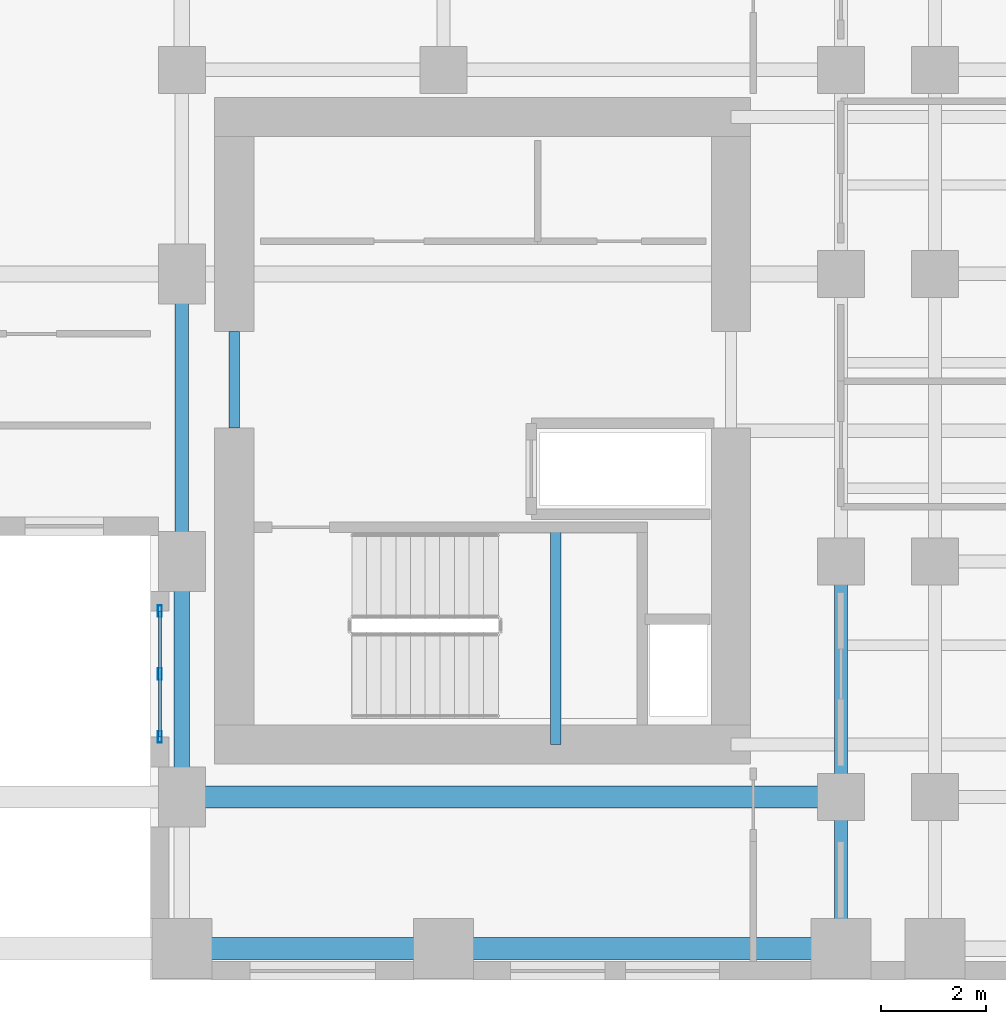
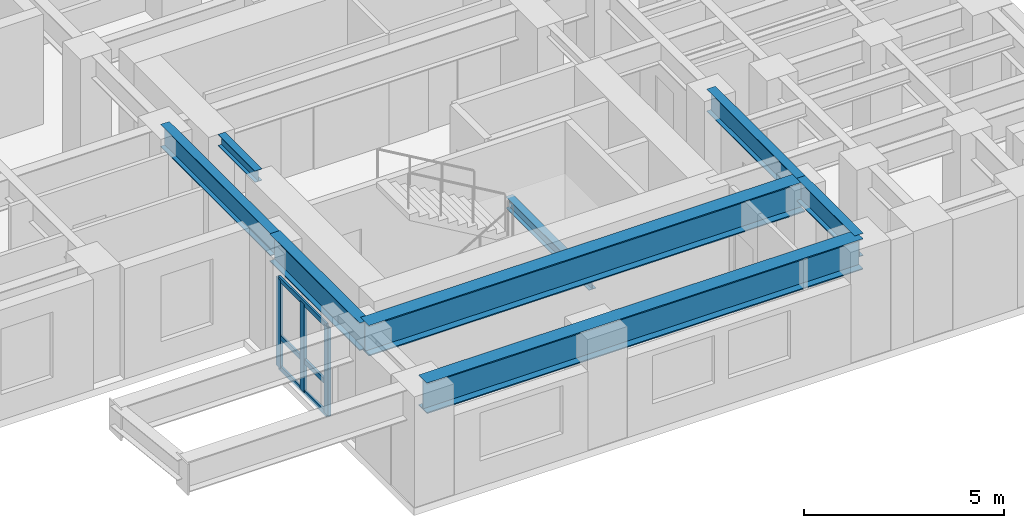
# One storey, part 3 of 14: 8 beams, 6 members, 1 element without a shape of its own.
"""IFC4 building model written with IfcOpenShell, lengths in metres."""

from ifc_helpers import new_model, si_unit, direction, frame, origin, origin_2d, place, context, subcontext, project, spatial, hollow_rectangle, i_section, extrude, source, transform, mapped, material, layer, layer_set, material_profile, profile_set, type_object, element, aggregate, save


model = new_model("IFC4")

# Units and contexts
model_context = context("Model", 3, precision=1e-05, world=origin(), true_north=direction((0.0, 1.0)))
body_context = subcontext(model_context, "Body", "Model", "MODEL_VIEW")
ifc_project = project(units=[si_unit("LENGTHUNIT", "METRE"), si_unit("AREAUNIT", "SQUARE_METRE"), si_unit("VOLUMEUNIT", "CUBIC_METRE"), si_unit("PLANEANGLEUNIT", "RADIAN"), si_unit("MASSUNIT", "GRAM", prefix="KILO")], contexts=[model_context])

# Site, building, storey
site_placement = place(None, origin())
site = spatial("IfcSite", under=ifc_project, at=site_placement, CompositionType="ELEMENT")
building_placement = place(site_placement, origin())
building = spatial("IfcBuilding", under=site, at=building_placement, Name="Kharzan Plaza Tower", CompositionType="ELEMENT")
storey_placement = place(building_placement, frame((0.0, 0.0, 131.39990234375)))
storey = spatial("IfcBuildingStorey", under=building, at=storey_placement, Name="L35", CompositionType="ELEMENT", Elevation=131.39990234375)

# Beams
ifc_material_1 = material(Name="Steel S355", Category="steel")
ifc_material_profile_1 = material_profile(ifc_material_1, i_section(OverallWidth=0.205078125, OverallDepth=0.35400390625, WebThickness=0.009521484375, FlangeThickness=0.016845703125, at=origin_2d()), Name="W360x79")
ifc_profile_set_1 = profile_set([ifc_material_profile_1], Name="Steel S355")
beam_type_1 = type_object("IfcBeamType", Name="BM-LNT360", PredefinedType="LINTEL", material=ifc_profile_set_1)
shared_shape_1 = source(origin(), body_context, "Body", "SweptSolid", [
    extrude(i_section(OverallWidth=0.205078125, OverallDepth=0.35400390625, WebThickness=0.009521484375, FlangeThickness=0.016845703125, at=origin_2d()), origin(), (0.0, 0.0, 1.0), 1.849853515625),
])
beam_1_placement = place(storey_placement, frame((36.0, 10.550048828125, 3.203125), z_axis=(0.0, 1.0, 0.0), x_axis=(-1.0, 0.0, 0.0)))
element("IfcBeam", 1, at=beam_1_placement, inside=storey, type_object=beam_type_1, Name="L35 CORE-B coupling lintel LN1-WW", PredefinedType="LINTEL", context=body_context, shape_type="MappedRepresentation", body=[
    mapped(shared_shape_1, transform((0.0, 0.0, 0.0), x_axis=(1.0, 0.0, 0.0), y_axis=(0.0, 1.0, 0.0), z_axis=(0.0, 0.0, 1.0))),
])
shared_shape_2 = source(origin(), body_context, "Body", "SweptSolid", [
    extrude(i_section(OverallWidth=0.205078125, OverallDepth=0.35400390625, WebThickness=0.009521484375, FlangeThickness=0.016845703125, at=origin_2d()), origin(), (0.0, 0.0, 1.0), 4.155029296875),
])
beam_2_placement = place(storey_placement, frame((42.14990234375, 4.5, 1.423095703125), z_axis=(0.0, 1.0, 0.0), x_axis=(-1.0, 0.0, 0.0)))
element("IfcBeam", 2, at=beam_2_placement, inside=storey, type_object=beam_type_1, Name="L35 Stair ST-3 Half-Landing Beam", PredefinedType="LINTEL", context=body_context, shape_type="MappedRepresentation", body=[
    mapped(shared_shape_2, transform((0.0, 0.0, 0.0), x_axis=(1.0, 0.0, 0.0), y_axis=(0.0, 1.0, 0.0), z_axis=(0.0, 0.0, 1.0))),
])
ifc_material_profile_2 = material_profile(ifc_material_1, i_section(OverallWidth=0.41796875, OverallDepth=0.93701171875, WebThickness=0.019287109375, FlangeThickness=0.031982421875, at=origin_2d()), Name="W920x342")
ifc_profile_set_2 = profile_set([ifc_material_profile_2], Name="Steel S355")
beam_type_2 = type_object("IfcBeamType", Name="BM-ZTB920", PredefinedType="BEAM", material=ifc_profile_set_2)
shared_shape_3 = source(origin(), body_context, "Body", "SweptSolid", [
    extrude(i_section(OverallWidth=0.41796875, OverallDepth=0.93701171875, WebThickness=0.019287109375, FlangeThickness=0.031982421875, at=origin_2d()), origin(), (0.0, 0.0, 1.0), 12.60009765625),
])
for number, where, z_axis, x_axis, name in (
    (3, (47.60009765625, 0.60009765625, 2.91162109375), (-1.0, 0.0, 0.0), (0.0, -1.0, 0.0), "L35 Sky-Terrace Back-Span Girder ZTB1 (L36 G1)"),
    (4, (47.60009765625, 3.5, 2.91162109375), (-1.0, 0.0, 0.0), (0.0, -1.0, 0.0), "L35 Sky-Terrace Back-Span Girder ZTB1 (L36 G2)"),
):
    element("IfcBeam", number, at=place(storey_placement, frame(where, z_axis=z_axis, x_axis=x_axis)), inside=storey, type_object=beam_type_2, Name=name, PredefinedType="BEAM", context=body_context, shape_type="MappedRepresentation", body=[
        mapped(shared_shape_3, transform((0.0, 0.0, 0.0), x_axis=(1.0, 0.0, 0.0), y_axis=(0.0, 1.0, 0.0), z_axis=(0.0, 0.0, 1.0))),
    ])

# Curtain wall, members
ifc_material_2 = material(Name="Unitised Bronze-Anodized Aluminium and Low-E Glass", Category="aluminium")
ifc_layer = layer(ifc_material_2, 0.199951171875)
ifc_layer_set = layer_set([ifc_layer], Name="Unitised Bronze-Anodized Aluminium and Low-E Glass")
curtain_wall_type = type_object("IfcCurtainWallType", Name="CW-SLOT-3", PredefinedType="NOTDEFINED", material=ifc_layer_set)
curtain_wall_placement = place(storey_placement, origin())
curtain_wall = element("IfcCurtainWall", 5, at=curtain_wall_placement, inside=storey, type_object=curtain_wall_type, Name="L35 East Slot Recessed Spine Curtain Wall", PredefinedType="NOTDEFINED")
ifc_material_3 = material(Name="Anodized Bronze Aluminium", Category="aluminium")
ifc_material_profile_3 = material_profile(ifc_material_3, hollow_rectangle(XDim=0.06005859375, YDim=0.14990234375, WallThickness=0.00341796875, at=origin_2d()), Name="ALU-T150x60x3.5")
ifc_profile_set_3 = profile_set([ifc_material_profile_3], Name="Anodized Bronze Aluminium")
member_type_1 = type_object("IfcMemberType", Name="MEM-CW-TRN150", PredefinedType="USERDEFINED", material=ifc_profile_set_3)
shared_shape_4 = source(origin(), body_context, "Body", "SweptSolid", [
    extrude(hollow_rectangle(XDim=0.06005859375, YDim=0.14990234375, WallThickness=0.00341796875, at=origin_2d()), origin(), (0.0, 0.0, 1.0), 2.400146484375),
])
member_1_placement = place(storey_placement, frame((34.580078125, 4.64990234375, 0.0), z_axis=(0.0, 1.0, 0.0), x_axis=(-1.0, 0.0, 0.0)))
member_1 = element("IfcMember", 6, at=member_1_placement, type_object=member_type_1, Name="L35 Curtain-Wall Transom 1", ObjectType="TRANSOM", PredefinedType="USERDEFINED", context=body_context, shape_type="MappedRepresentation", body=[
    mapped(shared_shape_4, transform((0.0, 0.0, 0.0), x_axis=(1.0, 0.0, 0.0), y_axis=(0.0, 1.0, 0.0), z_axis=(0.0, 0.0, 1.0))),
])
member_2_placement = place(storey_placement, frame((34.580078125, 4.64990234375, 0.9501953125), z_axis=(0.0, 1.0, 0.0), x_axis=(-1.0, 0.0, 0.0)))
member_2 = element("IfcMember", 7, at=member_2_placement, type_object=member_type_1, Name="L35 Curtain-Wall Transom 2", ObjectType="TRANSOM", PredefinedType="USERDEFINED", context=body_context, shape_type="MappedRepresentation", body=[
    mapped(shared_shape_4, transform((0.0, 0.0, 0.0), x_axis=(1.0, 0.0, 0.0), y_axis=(0.0, 1.0, 0.0), z_axis=(0.0, 0.0, 1.0))),
])
member_3_placement = place(storey_placement, frame((34.580078125, 4.64990234375, 2.7001953125), z_axis=(0.0, 1.0, 0.0), x_axis=(-1.0, 0.0, 0.0)))
member_3 = element("IfcMember", 8, at=member_3_placement, type_object=member_type_1, Name="L35 Curtain-Wall Transom 3", ObjectType="TRANSOM", PredefinedType="USERDEFINED", context=body_context, shape_type="MappedRepresentation", body=[
    mapped(shared_shape_4, transform((0.0, 0.0, 0.0), x_axis=(1.0, 0.0, 0.0), y_axis=(0.0, 1.0, 0.0), z_axis=(0.0, 0.0, 1.0))),
])
ifc_material_profile_4 = material_profile(ifc_material_3, hollow_rectangle(XDim=0.074951171875, YDim=0.219970703125, WallThickness=0.00390625, at=origin_2d()), Name="ALU-M220x75x4")
ifc_profile_set_4 = profile_set([ifc_material_profile_4], Name="Anodized Bronze Aluminium")
member_type_2 = type_object("IfcMemberType", Name="MEM-CW-MUL200", PredefinedType="MULLION", material=ifc_profile_set_4)
shared_shape_5 = source(origin(), body_context, "Body", "SweptSolid", [
    extrude(hollow_rectangle(XDim=0.074951171875, YDim=0.219970703125, WallThickness=0.00390625, at=origin_2d()), origin(), (0.0, 0.0, 1.0), 2.7001953125),
])
member_4_placement = place(storey_placement, frame((34.580078125, 4.64990234375, 0.0), z_axis=(0.0, 0.0, 1.0), x_axis=(1.0, 0.0, 0.0)))
member_4 = element("IfcMember", 9, at=member_4_placement, type_object=member_type_2, Name="L35 Curtain-Wall Mullion 00", PredefinedType="MULLION", context=body_context, shape_type="MappedRepresentation", body=[
    mapped(shared_shape_5, transform((0.0, 0.0, 0.0), x_axis=(1.0, 0.0, 0.0), y_axis=(0.0, 1.0, 0.0), z_axis=(0.0, 0.0, 1.0))),
])
member_5_placement = place(storey_placement, frame((34.580078125, 5.85009765625, 0.0), z_axis=(0.0, 0.0, 1.0), x_axis=(1.0, 0.0, 0.0)))
member_5 = element("IfcMember", 10, at=member_5_placement, type_object=member_type_2, Name="L35 Curtain-Wall Mullion 01", PredefinedType="MULLION", context=body_context, shape_type="MappedRepresentation", body=[
    mapped(shared_shape_5, transform((0.0, 0.0, 0.0), x_axis=(1.0, 0.0, 0.0), y_axis=(0.0, 1.0, 0.0), z_axis=(0.0, 0.0, 1.0))),
])
member_6_placement = place(storey_placement, frame((34.580078125, 7.050048828125, 0.0), z_axis=(0.0, 0.0, 1.0), x_axis=(1.0, 0.0, 0.0)))
member_6 = element("IfcMember", 11, at=member_6_placement, type_object=member_type_2, Name="L35 Curtain-Wall Mullion 02", PredefinedType="MULLION", context=body_context, shape_type="MappedRepresentation", body=[
    mapped(shared_shape_5, transform((0.0, 0.0, 0.0), x_axis=(1.0, 0.0, 0.0), y_axis=(0.0, 1.0, 0.0), z_axis=(0.0, 0.0, 1.0))),
])
aggregate(curtain_wall, [member_4, member_5, member_6, member_1, member_2, member_3])

# Beams
ifc_material_profile_5 = material_profile(ifc_material_1, i_section(OverallWidth=0.25390625, OverallDepth=0.68798828125, WebThickness=0.01318359375, FlangeThickness=0.02099609375, at=origin_2d()), Name="W690x152")
ifc_profile_set_5 = profile_set([ifc_material_profile_5], Name="Steel S355")
beam_type_3 = type_object("IfcBeamType", Name="BM-FG690B", PredefinedType="BEAM", material=ifc_profile_set_5)
shared_shape_6 = source(origin(), body_context, "Body", "SweptSolid", [
    extrude(i_section(OverallWidth=0.25390625, OverallDepth=0.68798828125, WebThickness=0.01318359375, FlangeThickness=0.02099609375, at=origin_2d()), origin(), (0.0, 0.0, 1.0), 4.5),
])
beam_3_placement = place(storey_placement, frame((47.60009765625, 3.5, 3.0361328125), z_axis=(0.0, 1.0, 0.0), x_axis=(-1.0, 0.0, 0.0)))
element("IfcBeam", 12, at=beam_3_placement, inside=storey, type_object=beam_type_3, Name="L35 Interior Frame Girder", PredefinedType="BEAM", context=body_context, shape_type="MappedRepresentation", body=[
    mapped(shared_shape_6, transform((0.0, 0.0, 0.0), x_axis=(1.0, 0.0, 0.0), y_axis=(0.0, 1.0, 0.0), z_axis=(0.0, 0.0, 1.0))),
])
shared_shape_7 = source(origin(), body_context, "Body", "SweptSolid", [
    extrude(i_section(OverallWidth=0.25390625, OverallDepth=0.68798828125, WebThickness=0.01318359375, FlangeThickness=0.02099609375, at=origin_2d()), origin(), (0.0, 0.0, 1.0), 5.5),
])
beam_4_placement = place(storey_placement, frame((35.0, 8.0, 3.0361328125), z_axis=(0.0, 1.0, 0.0), x_axis=(-1.0, 0.0, 0.0)))
element("IfcBeam", 13, at=beam_4_placement, inside=storey, type_object=beam_type_3, Name="L35 Interior Frame Girder", PredefinedType="BEAM", context=body_context, shape_type="MappedRepresentation", body=[
    mapped(shared_shape_7, transform((0.0, 0.0, 0.0), x_axis=(1.0, 0.0, 0.0), y_axis=(0.0, 1.0, 0.0), z_axis=(0.0, 0.0, 1.0))),
])
shared_shape_8 = source(origin(), body_context, "Body", "SweptSolid", [
    extrude(i_section(OverallWidth=0.25390625, OverallDepth=0.68798828125, WebThickness=0.01318359375, FlangeThickness=0.02099609375, at=origin_2d()), origin(), (0.0, 0.0, 1.0), 2.89990234375),
])
beam_5_placement = place(storey_placement, frame((47.60009765625, 0.60009765625, 3.0361328125), z_axis=(0.0, 1.0, 0.0), x_axis=(-1.0, 0.0, 0.0)))
element("IfcBeam", 14, at=beam_5_placement, inside=storey, type_object=beam_type_3, Name="L35 Interior Frame Girder", PredefinedType="BEAM", context=body_context, shape_type="MappedRepresentation", body=[
    mapped(shared_shape_8, transform((0.0, 0.0, 0.0), x_axis=(1.0, 0.0, 0.0), y_axis=(0.0, 1.0, 0.0), z_axis=(0.0, 0.0, 1.0))),
])
ifc_material_profile_6 = material_profile(ifc_material_1, i_section(OverallWidth=0.299072265625, OverallDepth=0.845947265625, WebThickness=0.015380859375, FlangeThickness=0.0244140625, at=origin_2d()), Name="W840x210")
ifc_profile_set_6 = profile_set([ifc_material_profile_6], Name="Steel S355")
beam_type_4 = type_object("IfcBeamType", Name="BM-SP840B", PredefinedType="SPANDREL", material=ifc_profile_set_6)
shared_shape_9 = source(origin(), body_context, "Body", "SweptSolid", [
    extrude(i_section(OverallWidth=0.299072265625, OverallDepth=0.845947265625, WebThickness=0.015380859375, FlangeThickness=0.0244140625, at=origin_2d()), origin(), (0.0, 0.0, 1.0), 4.5),
])
beam_6_placement = place(storey_placement, frame((35.0, 3.5, 2.95703125), z_axis=(0.0, 1.0, 0.0), x_axis=(-1.0, 0.0, 0.0)))
element("IfcBeam", 15, at=beam_6_placement, inside=storey, type_object=beam_type_4, Name="L35 Perimeter Tube Spandrel", PredefinedType="SPANDREL", context=body_context, shape_type="MappedRepresentation", body=[
    mapped(shared_shape_9, transform((0.0, 0.0, 0.0), x_axis=(1.0, 0.0, 0.0), y_axis=(0.0, 1.0, 0.0), z_axis=(0.0, 0.0, 1.0))),
])

save(model, "model.ifc")
